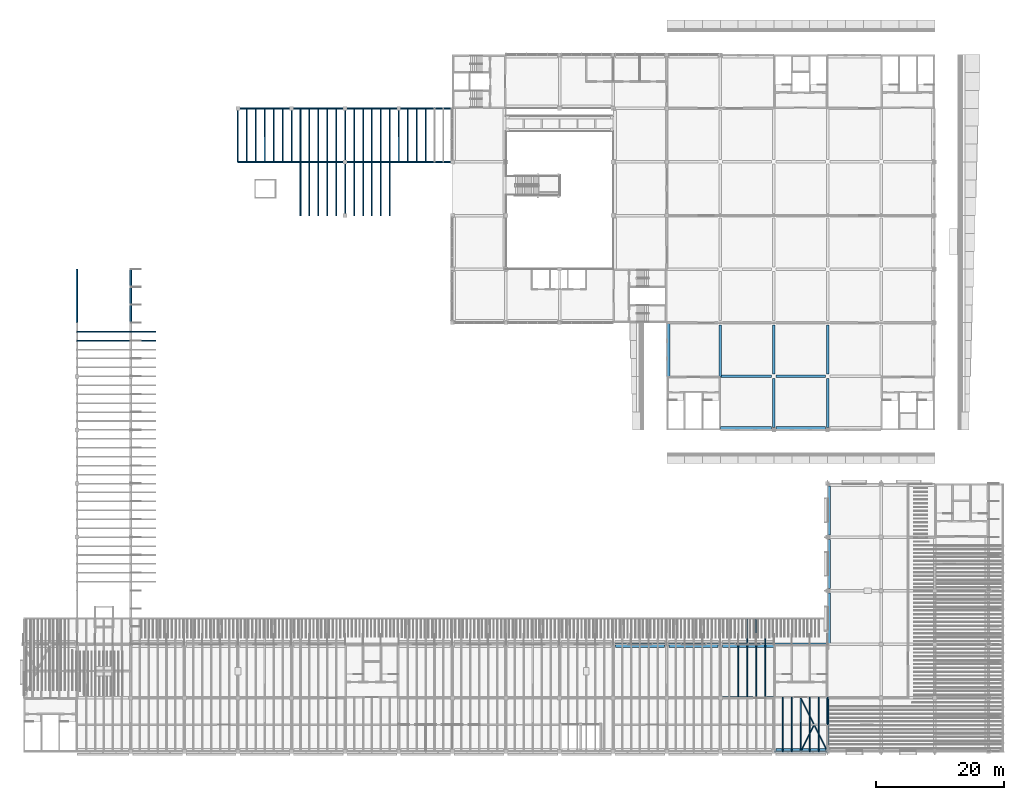
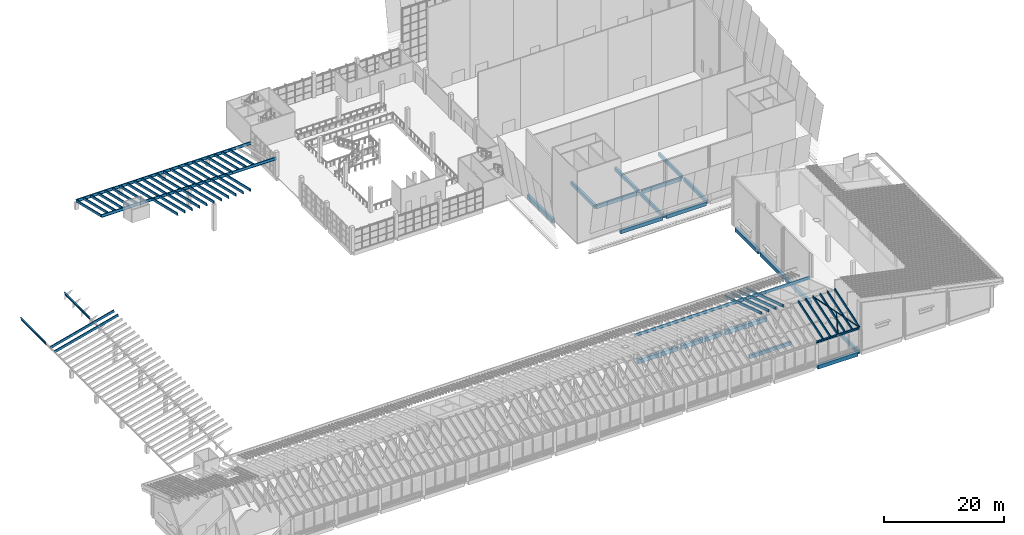
# One storey, part 5 of 59: 47 members, 34 beams.
"""IFC4 building model written with IfcOpenShell, lengths in metres."""

from ifc_helpers import new_model, si_unit, direction, frame, origin, origin_2d, place, context, subcontext, project, spatial, rectangle, hollow_circle, i_section, extrude, material, material_profile, profile_set, type_object, element, save


model = new_model("IFC4")

# Units and contexts
model_context = context("Model", 3, precision=1e-05, world=origin(), true_north=direction((0.0, 1.0)))
body_context = subcontext(model_context, "Body", "Model", "MODEL_VIEW")
ifc_project = project(units=[si_unit("LENGTHUNIT", "METRE"), si_unit("AREAUNIT", "SQUARE_METRE"), si_unit("VOLUMEUNIT", "CUBIC_METRE"), si_unit("PLANEANGLEUNIT", "RADIAN"), si_unit("MASSUNIT", "GRAM", prefix="KILO")], contexts=[model_context])

# Site, building, storey
site_placement = place(None, origin())
site = spatial("IfcSite", under=ifc_project, at=site_placement, CompositionType="ELEMENT")
building_placement = place(site_placement, origin())
building = spatial("IfcBuilding", under=site, at=building_placement, Name="Almond Square Museum", CompositionType="ELEMENT")
storey_placement = place(building_placement, frame((0.0, 0.0, 25.0)))
storey = spatial("IfcBuildingStorey", under=building, at=storey_placement, Name="L04", CompositionType="ELEMENT", Elevation=25.0)

# Members
ifc_material_1 = material(Name="Glulam GL28h", Category="wood")
ifc_material_profile_1 = material_profile(ifc_material_1, rectangle(XDim=0.159912109375, YDim=0.5, at=origin_2d()))
ifc_profile_set_1 = profile_set([ifc_material_profile_1], Name="Glulam GL28h")
member_type_1 = type_object("IfcMemberType", Name="Glulam rafter GL28h 160x500", PredefinedType="RAFTER", material=ifc_profile_set_1)
for number, where, z_axis, x_axis, name in (
    (1, (49.39990234375, 84.0, 5.64013671875), (0.0, 0.972805607937, -0.231623075633), (-1.0, 0.0, 0.0), "V4N rafter 1.8"),
    (2, (50.800048828125, 84.0, 5.64013671875), (0.0, 0.972805607937, -0.231623075633), (-1.0, 0.0, 0.0), "V4N rafter 1.9"),
    (3, (52.199951171875, 84.0, 5.64013671875), (0.0, 0.972805607937, -0.231623075633), (-1.0, 0.0, 0.0), "V4N rafter 1.10"),
    (4, (53.60009765625, 84.0, 5.64013671875), (0.0, 0.972805607937, -0.231623075633), (-1.0, 0.0, 0.0), "V4N rafter 1.11"),
    (5, (55.0, 84.0, 5.64013671875), (0.0, 0.972805607937, -0.231623075633), (-1.0, 0.0, 0.0), "V4N rafter 1.12"),
    (6, (56.39990234375, 84.0, 5.64013671875), (0.0, 0.972805607937, -0.231623075633), (-1.0, 0.0, 0.0), "V4N rafter 1.13"),
    (7, (57.800048828125, 84.0, 5.64013671875), (0.0, 0.972805607937, -0.231623075633), (-1.0, 0.0, 0.0), "V4N rafter 1.14"),
    (8, (59.199951171875, 84.0, 5.64013671875), (0.0, 0.972805607937, -0.231623075633), (-1.0, 0.0, 0.0), "V4N rafter 1.15"),
    (9, (60.60009765625, 84.0, 5.64013671875), (0.0, 0.972805607937, -0.231623075633), (-1.0, 0.0, 0.0), "V4N rafter 1.16"),
    (10, (62.0, 84.0, 5.64013671875), (0.0, 0.972805607937, -0.231623075633), (-1.0, 0.0, 0.0), "V4N rafter 1.17"),
    (11, (63.39990234375, 84.0, 5.64013671875), (0.0, 0.972805607937, -0.231623075633), (-1.0, 0.0, 0.0), "V4N rafter 1.18"),
):
    element("IfcMember", number, at=place(storey_placement, frame(where, z_axis=z_axis, x_axis=x_axis)), inside=storey, type_object=member_type_1, Name=name, PredefinedType="RAFTER", context=body_context, shape_type="SweptSolid", body=[
        extrude(rectangle(XDim=0.159912109375, YDim=0.5, at=origin_2d()), origin(), (0.0, 0.0, 1.0), 8.634765625),
    ])
for number, where, z_axis, x_axis, name in (
    (12, (39.60009765625, 92.39990234375, 3.64013671875), (0.0, 0.97280712477, -0.231616704918), (-1.0, 0.0, 0.0), "V4N rafter 2.1"),
    (13, (41.0, 92.39990234375, 3.64013671875), (0.0, 0.97280712477, -0.231616704918), (-1.0, 0.0, 0.0), "V4N rafter 2.2"),
    (14, (42.39990234375, 92.39990234375, 3.64013671875), (0.0, 0.97280712477, -0.231616704918), (-1.0, 0.0, 0.0), "V4N rafter 2.3"),
    (15, (43.800048828125, 92.39990234375, 3.64013671875), (0.0, 0.97280712477, -0.231616704918), (-1.0, 0.0, 0.0), "V4N rafter 2.4"),
    (16, (45.199951171875, 92.39990234375, 3.64013671875), (0.0, 0.97280712477, -0.231616704918), (-1.0, 0.0, 0.0), "V4N rafter 2.5"),
    (17, (46.60009765625, 92.39990234375, 3.64013671875), (0.0, 0.97280712477, -0.231616704918), (-1.0, 0.0, 0.0), "V4N rafter 2.6"),
    (18, (48.0, 92.39990234375, 3.64013671875), (0.0, 0.97280712477, -0.231616704918), (-1.0, 0.0, 0.0), "V4N rafter 2.7"),
    (19, (49.39990234375, 92.39990234375, 3.64013671875), (0.0, 0.97280712477, -0.231616704918), (-1.0, 0.0, 0.0), "V4N rafter 2.8"),
    (20, (50.800048828125, 92.39990234375, 3.64013671875), (0.0, 0.97280712477, -0.231616704918), (-1.0, 0.0, 0.0), "V4N rafter 2.9"),
    (21, (52.199951171875, 92.39990234375, 3.64013671875), (0.0, 0.97280712477, -0.231616704918), (-1.0, 0.0, 0.0), "V4N rafter 2.10"),
    (22, (53.60009765625, 92.39990234375, 3.64013671875), (0.0, 0.97280712477, -0.231616704918), (-1.0, 0.0, 0.0), "V4N rafter 2.11"),
    (23, (55.0, 92.39990234375, 3.64013671875), (0.0, 0.97280712477, -0.231616704918), (-1.0, 0.0, 0.0), "V4N rafter 2.12"),
    (24, (56.39990234375, 92.39990234375, 3.64013671875), (0.0, 0.97280712477, -0.231616704918), (-1.0, 0.0, 0.0), "V4N rafter 2.13"),
    (25, (57.800048828125, 92.39990234375, 3.64013671875), (0.0, 0.97280712477, -0.231616704918), (-1.0, 0.0, 0.0), "V4N rafter 2.14"),
    (26, (59.199951171875, 92.39990234375, 3.64013671875), (0.0, 0.97280712477, -0.231616704918), (-1.0, 0.0, 0.0), "V4N rafter 2.15"),
    (27, (60.60009765625, 92.39990234375, 3.64013671875), (0.0, 0.97280712477, -0.231616704918), (-1.0, 0.0, 0.0), "V4N rafter 2.16"),
    (28, (62.0, 92.39990234375, 3.64013671875), (0.0, 0.97280712477, -0.231616704918), (-1.0, 0.0, 0.0), "V4N rafter 2.17"),
    (29, (63.39990234375, 92.39990234375, 3.64013671875), (0.0, 0.97280712477, -0.231616704918), (-1.0, 0.0, 0.0), "V4N rafter 2.18"),
    (30, (64.800048828125, 92.39990234375, 3.64013671875), (0.0, 0.97280712477, -0.231616704918), (-1.0, 0.0, 0.0), "V4N rafter 2.19"),
    (31, (66.199951171875, 92.39990234375, 3.64013671875), (0.0, 0.97280712477, -0.231616704918), (-1.0, 0.0, 0.0), "V4N rafter 2.20"),
    (32, (67.60009765625, 92.39990234375, 3.64013671875), (0.0, 0.97280712477, -0.231616704918), (-1.0, 0.0, 0.0), "V4N rafter 2.21"),
    (33, (69.0, 92.39990234375, 3.64013671875), (0.0, 0.97280712477, -0.231616704918), (-1.0, 0.0, 0.0), "V4N rafter 2.22"),
):
    element("IfcMember", number, at=place(storey_placement, frame(where, z_axis=z_axis, x_axis=x_axis)), inside=storey, type_object=member_type_1, Name=name, PredefinedType="RAFTER", context=body_context, shape_type="SweptSolid", body=[
        extrude(rectangle(XDim=0.159912109375, YDim=0.5, at=origin_2d()), origin(), (0.0, 0.0, 1.0), 8.635009765625),
    ])
for number, where, z_axis, x_axis, name in (
    (34, (14.39990234375, 64.39990234375, 1.838134765625), (0.96737379846, 0.0, 0.253353377821), (0.0, 1.0, 0.0), "V4W rafter 2.35"),
    (35, (14.39990234375, 65.800048828125, 1.838134765625), (0.96737379846, 0.0, 0.253353377821), (0.0, 1.0, 0.0), "V4W rafter 2.36"),
):
    element("IfcMember", number, at=place(storey_placement, frame(where, z_axis=z_axis, x_axis=x_axis)), inside=storey, type_object=member_type_1, Name=name, PredefinedType="RAFTER", context=body_context, shape_type="SweptSolid", body=[
        extrude(rectangle(XDim=0.159912109375, YDim=0.5, at=origin_2d()), origin(), (0.0, 0.0, 1.0), 12.6630859375),
    ])
for number, where, z_axis, x_axis, name in (
    (36, (125.0, 0.0, 4.632080078125), (0.0, 0.951058036, 0.309012317167), (-1.0, 0.0, 0.0), "V5S rafter 1.86"),
    (37, (126.39990234375, 0.0, 4.632080078125), (0.0, 0.951058036, 0.309012317167), (-1.0, 0.0, 0.0), "V5S rafter 1.87"),
    (38, (127.800048828125, 0.0, 4.632080078125), (0.0, 0.951058036, 0.309012317167), (-1.0, 0.0, 0.0), "V5S rafter 1.88"),
    (39, (129.199951171875, 0.0, 4.632080078125), (0.0, 0.951058036, 0.309012317167), (-1.0, 0.0, 0.0), "V5S rafter 1.89"),
    (40, (130.60009765625, 0.0, 4.632080078125), (0.0, 0.951058036, 0.309012317167), (-1.0, 0.0, 0.0), "V5S rafter 1.90"),
    (41, (132.0, 0.0, 4.632080078125), (0.0, 0.951058036, 0.309012317167), (-1.0, 0.0, 0.0), "V5S rafter 1.91"),
):
    element("IfcMember", number, at=place(storey_placement, frame(where, z_axis=z_axis, x_axis=x_axis)), inside=storey, type_object=member_type_1, Name=name, PredefinedType="RAFTER", context=body_context, shape_type="SweptSolid", body=[
        extrude(rectangle(XDim=0.159912109375, YDim=0.5, at=origin_2d()), origin(), (0.0, 0.0, 1.0), 8.832275390625),
    ])
for number, where, z_axis, x_axis, name in (
    (42, (118.0, 8.39990234375, 7.361328125), (0.0, 0.951057467065, -0.309014068191), (-1.0, 0.0, 0.0), "V5S rafter 1.81"),
    (43, (119.39990234375, 8.39990234375, 7.361328125), (0.0, 0.951057467065, -0.309014068191), (-1.0, 0.0, 0.0), "V5S rafter 1.82"),
    (44, (120.800048828125, 8.39990234375, 7.361328125), (0.0, 0.951057467065, -0.309014068191), (-1.0, 0.0, 0.0), "V5S rafter 1.83"),
    (45, (122.199951171875, 8.39990234375, 7.361328125), (0.0, 0.951057467065, -0.309014068191), (-1.0, 0.0, 0.0), "V5S rafter 1.84"),
):
    element("IfcMember", number, at=place(storey_placement, frame(where, z_axis=z_axis, x_axis=x_axis)), inside=storey, type_object=member_type_1, Name=name, PredefinedType="RAFTER", context=body_context, shape_type="SweptSolid", body=[
        extrude(rectangle(XDim=0.159912109375, YDim=0.5, at=origin_2d()), origin(), (0.0, 0.0, 1.0), 12.88037109375),
    ])

# Beams
ifc_material_2 = material(Name="Concrete C40/50", Category="concrete")
ifc_material_profile_2 = material_profile(ifc_material_2, rectangle(XDim=0.39990234375, YDim=0.699951171875, at=origin_2d()))
ifc_profile_set_2 = profile_set([ifc_material_profile_2], Name="Concrete C40/50")
beam_type_1 = type_object("IfcBeamType", Name="RC beam 400 x 700 C40/50", PredefinedType="BEAM", material=ifc_profile_set_2)
for number, where, z_axis, x_axis, name in (
    (46, (115.550048828125, 8.39990234375, -0.60009765625), (1.0, 0.0, 0.0), (0.0, 1.0, 0.0), "Beam B 15-16 L04"),
    (47, (115.199951171875, 58.800048828125, -0.60009765625), (1.0, 0.0, 0.0), (0.0, 1.0, 0.0), "Beam H 15-16 L04"),
):
    element("IfcBeam", number, at=place(storey_placement, frame(where, z_axis=z_axis, x_axis=x_axis)), inside=storey, type_object=beam_type_1, Name=name, PredefinedType="BEAM", context=body_context, shape_type="SweptSolid", body=[
        extrude(rectangle(XDim=0.39990234375, YDim=0.699951171875, at=origin_2d()), origin(), (0.0, 0.0, 1.0), 8.050048828125),
    ])
beam_1_placement = place(storey_placement, frame((123.949951171875, 58.800048828125, -0.60009765625), z_axis=(1.0, 0.0, 0.0), x_axis=(0.0, 1.0, 0.0)))
element("IfcBeam", 48, at=beam_1_placement, inside=storey, type_object=beam_type_1, Name="Beam H 16-17 L04", PredefinedType="BEAM", context=body_context, shape_type="SweptSolid", body=[
    extrude(rectangle(XDim=0.39990234375, YDim=0.699951171875, at=origin_2d()), origin(), (0.0, 0.0, 1.0), 7.699951171875),
])
beam_2_placement = place(storey_placement, frame((115.199951171875, 58.800048828125, -0.60009765625), z_axis=(0.0, 1.0, 0.0), x_axis=(-1.0, 0.0, 0.0)))
element("IfcBeam", 49, at=beam_2_placement, inside=storey, type_object=beam_type_1, Name="Beam 15 H-I L04", PredefinedType="BEAM", context=body_context, shape_type="SweptSolid", body=[
    extrude(rectangle(XDim=0.39990234375, YDim=0.699951171875, at=origin_2d()), origin(), (0.0, 0.0, 1.0), 8.050048828125),
])
beam_3_placement = place(storey_placement, frame((123.60009765625, 50.75, -0.60009765625), z_axis=(0.0, 1.0, 0.0), x_axis=(-1.0, 0.0, 0.0)))
element("IfcBeam", 50, at=beam_3_placement, inside=storey, type_object=beam_type_1, Name="Beam 16 G-H L04", PredefinedType="BEAM", context=body_context, shape_type="SweptSolid", body=[
    extrude(rectangle(XDim=0.39990234375, YDim=0.699951171875, at=origin_2d()), origin(), (0.0, 0.0, 1.0), 7.699951171875),
])
beam_4_placement = place(storey_placement, frame((123.60009765625, 59.14990234375, -0.60009765625), z_axis=(0.0, 1.0, 0.0), x_axis=(-1.0, 0.0, 0.0)))
element("IfcBeam", 51, at=beam_4_placement, inside=storey, type_object=beam_type_1, Name="Beam 16 H-I L04", PredefinedType="BEAM", context=body_context, shape_type="SweptSolid", body=[
    extrude(rectangle(XDim=0.39990234375, YDim=0.699951171875, at=origin_2d()), origin(), (0.0, 0.0, 1.0), 7.7001953125),
])
beam_5_placement = place(storey_placement, frame((132.0, 0.35009765625, -0.60009765625), z_axis=(0.0, 1.0, 0.0), x_axis=(-1.0, 0.0, 0.0)))
element("IfcBeam", 52, at=beam_5_placement, inside=storey, type_object=beam_type_1, Name="Beam 17 A-B L04", PredefinedType="BEAM", context=body_context, shape_type="SweptSolid", body=[
    extrude(rectangle(XDim=0.39990234375, YDim=0.699951171875, at=origin_2d()), origin(), (0.0, 0.0, 1.0), 8.0498046875),
])
beam_6_placement = place(storey_placement, frame((132.0, 50.75, -0.60009765625), z_axis=(0.0, 1.0, 0.0), x_axis=(-1.0, 0.0, 0.0)))
element("IfcBeam", 53, at=beam_6_placement, inside=storey, type_object=beam_type_1, Name="Beam 17 G-H L04", PredefinedType="BEAM", context=body_context, shape_type="SweptSolid", body=[
    extrude(rectangle(XDim=0.39990234375, YDim=0.699951171875, at=origin_2d()), origin(), (0.0, 0.0, 1.0), 7.699951171875),
])
beam_7_placement = place(storey_placement, frame((132.0, 59.14990234375, -0.60009765625), z_axis=(0.0, 1.0, 0.0), x_axis=(-1.0, 0.0, 0.0)))
element("IfcBeam", 54, at=beam_7_placement, inside=storey, type_object=beam_type_1, Name="Beam 17 H-I L04", PredefinedType="BEAM", context=body_context, shape_type="SweptSolid", body=[
    extrude(rectangle(XDim=0.39990234375, YDim=0.699951171875, at=origin_2d()), origin(), (0.0, 0.0, 1.0), 7.7001953125),
])
ifc_material_3 = material(Name="Concrete C40/50", Category="concrete")
ifc_material_profile_3 = material_profile(ifc_material_3, rectangle(XDim=0.5, YDim=0.800048828125, at=origin_2d()))
ifc_profile_set_3 = profile_set([ifc_material_profile_3], Name="Concrete C40/50")
beam_type_2 = type_object("IfcBeamType", Name="RC edge beam 500 x 800 C40/50", PredefinedType="BEAM", material=ifc_profile_set_3)
for number, where, z_axis, x_axis, name in (
    (55, (123.949951171875, 0.25, -0.64990234375), (1.0, 0.0, 0.0), (0.0, 1.0, 0.0), "Edge beam A 16-17 L04"),
    (56, (98.75, 16.550048828125, -0.64990234375), (1.0, 0.0, 0.0), (0.0, 1.0, 0.0), "Edge beam C 13-14 L04"),
):
    element("IfcBeam", number, at=place(storey_placement, frame(where, z_axis=z_axis, x_axis=x_axis)), inside=storey, type_object=beam_type_2, Name=name, PredefinedType="BEAM", context=body_context, shape_type="SweptSolid", body=[
        extrude(rectangle(XDim=0.5, YDim=0.800048828125, at=origin_2d()), origin(), (0.0, 0.0, 1.0), 7.699951171875),
    ])
beam_8_placement = place(storey_placement, frame((107.14990234375, 16.550048828125, -0.64990234375), z_axis=(1.0, 0.0, 0.0), x_axis=(0.0, 1.0, 0.0)))
element("IfcBeam", 57, at=beam_8_placement, inside=storey, type_object=beam_type_2, Name="Edge beam C 14-15 L04", PredefinedType="BEAM", context=body_context, shape_type="SweptSolid", body=[
    extrude(rectangle(XDim=0.5, YDim=0.800048828125, at=origin_2d()), origin(), (0.0, 0.0, 1.0), 7.7001953125),
])
for number, where, z_axis, x_axis, name in (
    (58, (115.550048828125, 16.550048828125, -0.64990234375), (1.0, 0.0, 0.0), (0.0, 1.0, 0.0), "Edge beam C 15-16 L04"),
    (59, (115.199951171875, 50.64990234375, -0.64990234375), (1.0, 0.0, 0.0), (0.0, 1.0, 0.0), "Edge beam G 15-16 L04"),
):
    element("IfcBeam", number, at=place(storey_placement, frame(where, z_axis=z_axis, x_axis=x_axis)), inside=storey, type_object=beam_type_2, Name=name, PredefinedType="BEAM", context=body_context, shape_type="SweptSolid", body=[
        extrude(rectangle(XDim=0.5, YDim=0.800048828125, at=origin_2d()), origin(), (0.0, 0.0, 1.0), 8.050048828125),
    ])
beam_9_placement = place(storey_placement, frame((123.949951171875, 50.64990234375, -0.64990234375), z_axis=(1.0, 0.0, 0.0), x_axis=(0.0, 1.0, 0.0)))
element("IfcBeam", 60, at=beam_9_placement, inside=storey, type_object=beam_type_2, Name="Edge beam G 16-17 L04", PredefinedType="BEAM", context=body_context, shape_type="SweptSolid", body=[
    extrude(rectangle(XDim=0.5, YDim=0.800048828125, at=origin_2d()), origin(), (0.0, 0.0, 1.0), 7.699951171875),
])
beam_10_placement = place(storey_placement, frame((107.050048828125, 58.800048828125, -0.64990234375), z_axis=(0.0, 1.0, 0.0), x_axis=(-1.0, 0.0, 0.0)))
element("IfcBeam", 61, at=beam_10_placement, inside=storey, type_object=beam_type_2, Name="Edge beam 14 H-I L04", PredefinedType="BEAM", context=body_context, shape_type="SweptSolid", body=[
    extrude(rectangle(XDim=0.5, YDim=0.800048828125, at=origin_2d()), origin(), (0.0, 0.0, 1.0), 8.39990234375),
])
beam_11_placement = place(storey_placement, frame((132.25, 16.800048828125, -0.64990234375), z_axis=(0.0, 1.0, 0.0), x_axis=(-1.0, 0.0, 0.0)))
element("IfcBeam", 62, at=beam_11_placement, inside=storey, type_object=beam_type_2, Name="Edge beam 17 C-D L04", PredefinedType="BEAM", context=body_context, shape_type="SweptSolid", body=[
    extrude(rectangle(XDim=0.5, YDim=0.800048828125, at=origin_2d()), origin(), (0.0, 0.0, 1.0), 8.050048828125),
])
for number, where, z_axis, x_axis, name in (
    (63, (132.25, 25.550048828125, -0.64990234375), (0.0, 1.0, 0.0), (-1.0, 0.0, 0.0), "Edge beam 17 D-E L04"),
    (64, (132.25, 33.949951171875, -0.64990234375), (0.0, 1.0, 0.0), (-1.0, 0.0, 0.0), "Edge beam 17 E-F L04"),
):
    element("IfcBeam", number, at=place(storey_placement, frame(where, z_axis=z_axis, x_axis=x_axis)), inside=storey, type_object=beam_type_2, Name=name, PredefinedType="BEAM", context=body_context, shape_type="SweptSolid", body=[
        extrude(rectangle(XDim=0.5, YDim=0.800048828125, at=origin_2d()), origin(), (0.0, 0.0, 1.0), 7.699951171875),
    ])
ifc_material_4 = material(Name="Structural steel S355", Category="steel")
ifc_material_profile_4 = material_profile(ifc_material_4, i_section(OverallWidth=0.208984375, OverallDepth=0.532958984375, WebThickness=0.01025390625, FlangeThickness=0.015625, at=origin_2d()))
ifc_profile_set_4 = profile_set([ifc_material_profile_4], Name="Structural steel S355")
beam_type_3 = type_object("IfcBeamType", Name="Roof beam W530x92", PredefinedType="BEAM", material=ifc_profile_set_4)
for number, where, z_axis, x_axis, name in (
    (65, (39.60009765625, 92.39990234375, 3.623291015625), (1.0, 0.0, 0.0), (0.0, 0.972806205605, -0.231620565444), "V4N roof beam 2.1"),
    (66, (48.0, 92.39990234375, 3.623291015625), (1.0, 0.0, 0.0), (0.0, 0.972806205605, -0.231620565444), "V4N roof beam 2.2"),
):
    element("IfcBeam", number, at=place(storey_placement, frame(where, z_axis=z_axis, x_axis=x_axis)), inside=storey, type_object=beam_type_3, Name=name, PredefinedType="BEAM", context=body_context, shape_type="SweptSolid", body=[
        extrude(i_section(OverallWidth=0.208984375, OverallDepth=0.532958984375, WebThickness=0.01025390625, FlangeThickness=0.015625, at=origin_2d()), origin(), (0.0, 0.0, 1.0), 8.39990234375),
    ])
beam_12_placement = place(storey_placement, frame((56.39990234375, 92.39990234375, 3.623291015625), z_axis=(1.0, 0.0, 0.0), x_axis=(0.0, 0.972806205605, -0.231620565444)))
element("IfcBeam", 67, at=beam_12_placement, inside=storey, type_object=beam_type_3, Name="V4N roof beam 2.3", PredefinedType="BEAM", context=body_context, shape_type="SweptSolid", body=[
    extrude(i_section(OverallWidth=0.208984375, OverallDepth=0.532958984375, WebThickness=0.01025390625, FlangeThickness=0.015625, at=origin_2d()), origin(), (0.0, 0.0, 1.0), 8.400146484375),
])
for number, where, z_axis, x_axis, name in (
    (68, (64.800048828125, 92.39990234375, 3.623291015625), (1.0, 0.0, 0.0), (0.0, 0.972806205605, -0.231620565444), "V4N roof beam 2.4"),
    (69, (39.60009765625, 100.800048828125, 1.623291015625), (1.0, 0.0, 0.0), (0.0, 0.972806205605, -0.231620565444), "V4N roof beam 3.1"),
    (70, (48.0, 100.800048828125, 1.623291015625), (1.0, 0.0, 0.0), (0.0, 0.972806205605, -0.231620565444), "V4N roof beam 3.2"),
):
    element("IfcBeam", number, at=place(storey_placement, frame(where, z_axis=z_axis, x_axis=x_axis)), inside=storey, type_object=beam_type_3, Name=name, PredefinedType="BEAM", context=body_context, shape_type="SweptSolid", body=[
        extrude(i_section(OverallWidth=0.208984375, OverallDepth=0.532958984375, WebThickness=0.01025390625, FlangeThickness=0.015625, at=origin_2d()), origin(), (0.0, 0.0, 1.0), 8.39990234375),
    ])
beam_13_placement = place(storey_placement, frame((56.39990234375, 100.800048828125, 1.623291015625), z_axis=(1.0, 0.0, 0.0), x_axis=(0.0, 0.972806205605, -0.231620565444)))
element("IfcBeam", 71, at=beam_13_placement, inside=storey, type_object=beam_type_3, Name="V4N roof beam 3.3", PredefinedType="BEAM", context=body_context, shape_type="SweptSolid", body=[
    extrude(i_section(OverallWidth=0.208984375, OverallDepth=0.532958984375, WebThickness=0.01025390625, FlangeThickness=0.015625, at=origin_2d()), origin(), (0.0, 0.0, 1.0), 8.400146484375),
])
beam_14_placement = place(storey_placement, frame((64.800048828125, 100.800048828125, 1.623291015625), z_axis=(1.0, 0.0, 0.0), x_axis=(0.0, 0.972806205605, -0.231620565444)))
element("IfcBeam", 72, at=beam_14_placement, inside=storey, type_object=beam_type_3, Name="V4N roof beam 3.4", PredefinedType="BEAM", context=body_context, shape_type="SweptSolid", body=[
    extrude(i_section(OverallWidth=0.208984375, OverallDepth=0.532958984375, WebThickness=0.01025390625, FlangeThickness=0.015625, at=origin_2d()), origin(), (0.0, 0.0, 1.0), 8.39990234375),
])
for number, where, z_axis, x_axis, name in (
    (73, (14.39990234375, 67.199951171875, 1.821044921875), (0.0, 1.0, 0.0), (-0.967372193034, 0.0, -0.253359507704), "V4W roof beam 2.7"),
    (74, (22.800048828125, 67.199951171875, 4.02099609375), (0.0, 1.0, 0.0), (-0.967372193034, 0.0, -0.253359507704), "V4W roof beam 3.7"),
):
    element("IfcBeam", number, at=place(storey_placement, frame(where, z_axis=z_axis, x_axis=x_axis)), inside=storey, type_object=beam_type_3, Name=name, PredefinedType="BEAM", context=body_context, shape_type="SweptSolid", body=[
        extrude(i_section(OverallWidth=0.208984375, OverallDepth=0.532958984375, WebThickness=0.01025390625, FlangeThickness=0.015625, at=origin_2d()), origin(), (0.0, 0.0, 1.0), 8.400146484375),
    ])
beam_15_placement = place(storey_placement, frame((123.60009765625, 0.0, 4.614501953125), z_axis=(1.0, 0.0, 0.0), x_axis=(0.0, 0.951056516295, 0.309016994375)))
element("IfcBeam", 75, at=beam_15_placement, inside=storey, type_object=beam_type_3, Name="V5S roof beam 1.15", PredefinedType="BEAM", context=body_context, shape_type="SweptSolid", body=[
    extrude(i_section(OverallWidth=0.208984375, OverallDepth=0.532958984375, WebThickness=0.01025390625, FlangeThickness=0.015625, at=origin_2d()), origin(), (0.0, 0.0, 1.0), 8.39990234375),
])
beam_16_placement = place(storey_placement, frame((98.39990234375, 16.800048828125, 4.614501953125), z_axis=(1.0, 0.0, 0.0), x_axis=(0.0, 0.951056516295, -0.309016994375)))
element("IfcBeam", 76, at=beam_16_placement, inside=storey, type_object=beam_type_3, Name="V5S roof beam 2.12", PredefinedType="BEAM", context=body_context, shape_type="SweptSolid", body=[
    extrude(i_section(OverallWidth=0.208984375, OverallDepth=0.532958984375, WebThickness=0.01025390625, FlangeThickness=0.015625, at=origin_2d()), origin(), (0.0, 0.0, 1.0), 8.400146484375),
])
beam_17_placement = place(storey_placement, frame((106.800048828125, 16.800048828125, 4.614501953125), z_axis=(1.0, 0.0, 0.0), x_axis=(0.0, 0.951056516295, -0.309016994375)))
element("IfcBeam", 77, at=beam_17_placement, inside=storey, type_object=beam_type_3, Name="V5S roof beam 2.13", PredefinedType="BEAM", context=body_context, shape_type="SweptSolid", body=[
    extrude(i_section(OverallWidth=0.208984375, OverallDepth=0.532958984375, WebThickness=0.01025390625, FlangeThickness=0.015625, at=origin_2d()), origin(), (0.0, 0.0, 1.0), 8.39990234375),
])
beam_18_placement = place(storey_placement, frame((115.199951171875, 16.800048828125, 4.614501953125), z_axis=(1.0, 0.0, 0.0), x_axis=(0.0, 0.951056516295, -0.309016994375)))
element("IfcBeam", 78, at=beam_18_placement, inside=storey, type_object=beam_type_3, Name="V5S roof beam 2.14", PredefinedType="BEAM", context=body_context, shape_type="SweptSolid", body=[
    extrude(i_section(OverallWidth=0.208984375, OverallDepth=0.532958984375, WebThickness=0.01025390625, FlangeThickness=0.015625, at=origin_2d()), origin(), (0.0, 0.0, 1.0), 8.400146484375),
])
beam_19_placement = place(storey_placement, frame((123.60009765625, 16.800048828125, 4.614501953125), z_axis=(1.0, 0.0, 0.0), x_axis=(0.0, 0.951056516295, -0.309016994375)))
element("IfcBeam", 79, at=beam_19_placement, inside=storey, type_object=beam_type_3, Name="V5S roof beam 2.15", PredefinedType="BEAM", context=body_context, shape_type="SweptSolid", body=[
    extrude(i_section(OverallWidth=0.208984375, OverallDepth=0.532958984375, WebThickness=0.01025390625, FlangeThickness=0.015625, at=origin_2d()), origin(), (0.0, 0.0, 1.0), 8.39990234375),
])

# Members
ifc_material_5 = material(Name="Structural steel S355", Category="steel")
ifc_material_profile_5 = material_profile(ifc_material_5, hollow_circle(Radius=0.109619140625, WallThickness=0.010009765625, at=origin_2d()))
ifc_profile_set_5 = profile_set([ifc_material_profile_5], Name="Structural steel S355")
member_type_2 = type_object("IfcMemberType", Name="Roof brace CHS 219.1x10", PredefinedType="BRACE", material=ifc_profile_set_5)
member_1_placement = place(storey_placement, frame((132.0, 0.02001953125, 4.638427734375), z_axis=(-0.431120976166, 0.85813198081, 0.278826482638), x_axis=(-0.893569613196, -0.448924655564, 0.0)))
element("IfcMember", 80, at=member_1_placement, inside=storey, type_object=member_type_2, Name="V5S roof plane brace", PredefinedType="BRACE", context=body_context, shape_type="SweptSolid", body=[
    extrude(hollow_circle(Radius=0.109619140625, WallThickness=0.010009765625, at=origin_2d()), origin(), (0.0, 0.0, 1.0), 9.741943359375),
])
member_2_placement = place(storey_placement, frame((127.800048828125, 0.02001953125, 4.638427734375), z_axis=(0.431100572967, 0.858141252153, 0.278829495107), x_axis=(-0.893580081254, 0.448903818636, 0.0)))
element("IfcMember", 81, at=member_2_placement, inside=storey, type_object=member_type_2, Name="V5S roof plane brace", PredefinedType="BRACE", context=body_context, shape_type="SweptSolid", body=[
    extrude(hollow_circle(Radius=0.109619140625, WallThickness=0.010009765625, at=origin_2d()), origin(), (0.0, 0.0, 1.0), 4.870849609375),
])

save(model, "model.ifc")
